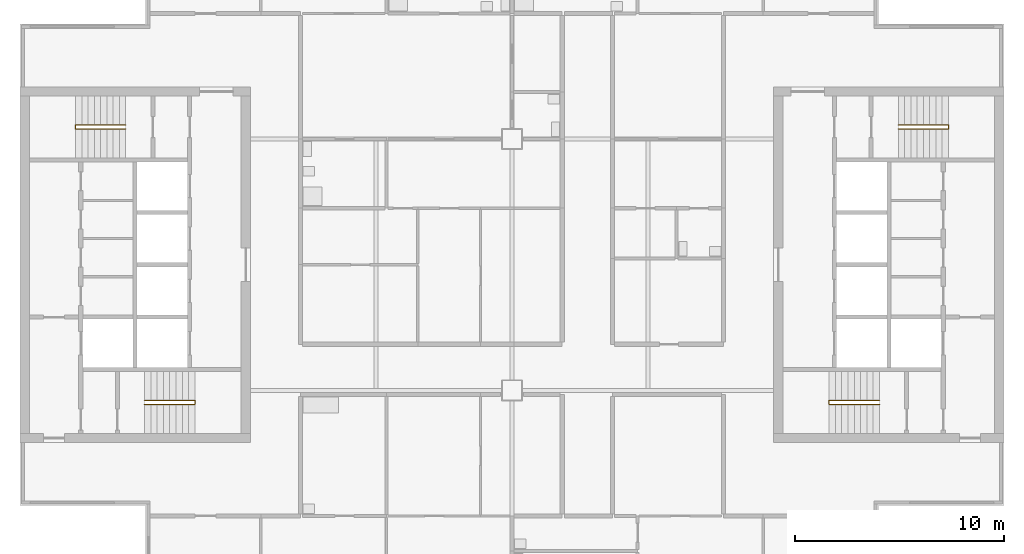
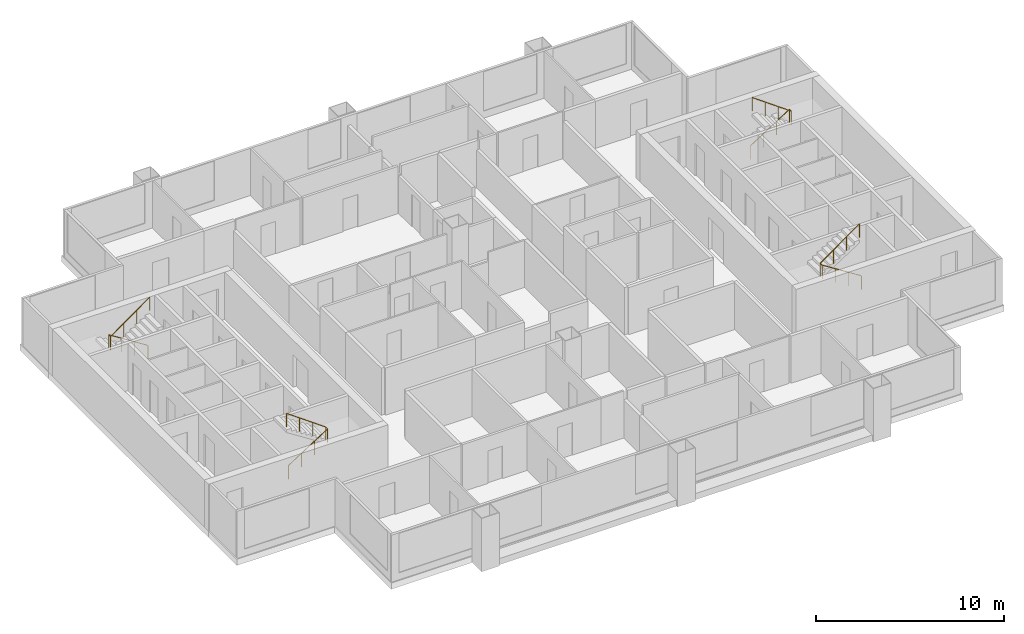
# One storey, part 8 of 9: 4 railings.
"""IFC4 building model written with IfcOpenShell, lengths in metres."""

from ifc_helpers import new_model, si_unit, direction, frame, origin, origin_2d, place, context, subcontext, project, spatial, circle, extrude, material, type_object, element, save


model = new_model("IFC4")

# Units and contexts
model_context = context("Model", 3, precision=1e-05, world=origin(), true_north=direction((0.0, 1.0)))
body_context = subcontext(model_context, "Body", "Model", "MODEL_VIEW")
ifc_project = project(units=[si_unit("LENGTHUNIT", "METRE"), si_unit("AREAUNIT", "SQUARE_METRE"), si_unit("VOLUMEUNIT", "CUBIC_METRE"), si_unit("PLANEANGLEUNIT", "RADIAN"), si_unit("MASSUNIT", "GRAM", prefix="KILO")], contexts=[model_context])

# Site, building, storey
site_placement = place(None, origin())
site = spatial("IfcSite", under=ifc_project, at=site_placement, CompositionType="ELEMENT")
building_placement = place(site_placement, origin())
building = spatial("IfcBuilding", under=site, at=building_placement, Name="Kitamizu Gate Tower and Museum", CompositionType="ELEMENT")
storey_placement = place(building_placement, frame((0.0, 0.0, 224.85009765625)))
storey = spatial("IfcBuildingStorey", under=building, at=storey_placement, Name="L60", CompositionType="ELEMENT", Elevation=224.85009765625)

# Railings
ifc_material = material(Name="Stainless steel SUS304", Category="steel")
railing_type = type_object("IfcRailingType", Name="Stair handrail 900", PredefinedType="HANDRAIL", material=ifc_material)
railing_1_placement = place(storey_placement, frame((18.449951171875, 23.324951171875, 0.191650390625)))
element("IfcRailing", 1, at=railing_1_placement, inside=storey, type_object=railing_type, Name="Stair handrail ST1", PredefinedType="HANDRAIL", context=body_context, shape_type="SweptSolid", body=[
    extrude(circle(Radius=0.02392578125, at=origin_2d()), frame((0.0, 0.0, 0.8759765625), z_axis=(0.842731908877, 0.0, 0.538333474494), x_axis=(0.0, 1.0, 0.0)), (0.0, 0.0, 1.0), 2.84814453125),
    extrude(circle(Radius=0.02392578125, at=origin_2d()), frame((2.400146484375, 0.0, 2.4091796875), z_axis=(0.0, 1.0, 0.0), x_axis=(-1.0, 0.0, 0.0)), (0.0, 0.0, 1.0), 0.199951171875),
    extrude(circle(Radius=0.02392578125, at=origin_2d()), frame((2.400146484375, 0.199951171875, 2.4091796875), z_axis=(-0.812016594614, 0.0, 0.583634346205), x_axis=(0.0, -1.0, 0.0)), (0.0, 0.0, 1.0), 2.955810546875),
    extrude(circle(Radius=0.02099609375, at=origin_2d()), origin(), (0.0, 0.0, 1.0), 0.851806640625),
    extrude(circle(Radius=0.02099609375, at=origin_2d()), frame((0.800048828125, 0.0, 0.510986328125)), (0.0, 0.0, 1.0), 0.851806640625),
    extrude(circle(Radius=0.02099609375, at=origin_2d()), frame((1.60009765625, 0.0, 1.022216796875)), (0.0, 0.0, 1.0), 0.851806640625),
    extrude(circle(Radius=0.02099609375, at=origin_2d()), frame((2.400146484375, 0.0, 1.533203125)), (0.0, 0.0, 1.0), 0.851806640625),
    extrude(circle(Radius=0.02099609375, at=origin_2d()), frame((2.400146484375, 0.199951171875, 1.533203125)), (0.0, 0.0, 1.0), 0.851806640625),
    extrude(circle(Radius=0.02099609375, at=origin_2d()), frame((1.60009765625, 0.199951171875, 2.108154296875)), (0.0, 0.0, 1.0), 0.851806640625),
    extrude(circle(Radius=0.02099609375, at=origin_2d()), frame((0.800048828125, 0.199951171875, 2.683349609375)), (0.0, 0.0, 1.0), 0.851806640625),
    extrude(circle(Radius=0.02099609375, at=origin_2d()), frame((0.0, 0.199951171875, 3.25830078125)), (0.0, 0.0, 1.0), 0.851806640625),
])
railing_2_placement = place(storey_placement, frame((17.550048828125, 36.675048828125, 0.191650390625)))
element("IfcRailing", 2, at=railing_2_placement, inside=storey, type_object=railing_type, Name="Stair handrail ST2", PredefinedType="HANDRAIL", context=body_context, shape_type="SweptSolid", body=[
    extrude(circle(Radius=0.02392578125, at=origin_2d()), frame((0.0, 0.0, 0.8759765625), z_axis=(-0.842731908877, 0.0, 0.538333474494), x_axis=(0.0, -1.0, 0.0)), (0.0, 0.0, 1.0), 2.84814453125),
    extrude(circle(Radius=0.02392578125, at=origin_2d()), frame((-2.400146484375, 0.0, 2.4091796875), z_axis=(0.0, -1.0, 0.0), x_axis=(1.0, 0.0, 0.0)), (0.0, 0.0, 1.0), 0.199951171875),
    extrude(circle(Radius=0.02392578125, at=origin_2d()), frame((-2.400146484375, -0.199951171875, 2.4091796875), z_axis=(0.812016594614, 0.0, 0.583634346205), x_axis=(0.0, 1.0, 0.0)), (0.0, 0.0, 1.0), 2.955810546875),
    extrude(circle(Radius=0.02099609375, at=origin_2d()), origin(), (0.0, 0.0, 1.0), 0.851806640625),
    extrude(circle(Radius=0.02099609375, at=origin_2d()), frame((-0.800048828125, 0.0, 0.510986328125)), (0.0, 0.0, 1.0), 0.851806640625),
    extrude(circle(Radius=0.02099609375, at=origin_2d()), frame((-1.60009765625, 0.0, 1.022216796875)), (0.0, 0.0, 1.0), 0.851806640625),
    extrude(circle(Radius=0.02099609375, at=origin_2d()), frame((-2.400146484375, 0.0, 1.533203125)), (0.0, 0.0, 1.0), 0.851806640625),
    extrude(circle(Radius=0.02099609375, at=origin_2d()), frame((-2.400146484375, -0.199951171875, 1.533203125)), (0.0, 0.0, 1.0), 0.851806640625),
    extrude(circle(Radius=0.02099609375, at=origin_2d()), frame((-1.60009765625, -0.199951171875, 2.108154296875)), (0.0, 0.0, 1.0), 0.851806640625),
    extrude(circle(Radius=0.02099609375, at=origin_2d()), frame((-0.800048828125, -0.199951171875, 2.683349609375)), (0.0, 0.0, 1.0), 0.851806640625),
    extrude(circle(Radius=0.02099609375, at=origin_2d()), frame((0.0, -0.199951171875, 3.25830078125)), (0.0, 0.0, 1.0), 0.851806640625),
])
railing_3_placement = place(storey_placement, frame((53.550048828125, 23.324951171875, 0.191650390625)))
element("IfcRailing", 3, at=railing_3_placement, inside=storey, type_object=railing_type, Name="Stair handrail ST3", PredefinedType="HANDRAIL", context=body_context, shape_type="SweptSolid", body=[
    extrude(circle(Radius=0.02392578125, at=origin_2d()), frame((0.0, 0.0, 0.8759765625), z_axis=(-0.842731908877, 0.0, 0.538333474494), x_axis=(0.0, -1.0, 0.0)), (0.0, 0.0, 1.0), 2.84814453125),
    extrude(circle(Radius=0.02392578125, at=origin_2d()), frame((-2.400146484375, 0.0, 2.4091796875), z_axis=(0.0, 1.0, 0.0), x_axis=(-1.0, 0.0, 0.0)), (0.0, 0.0, 1.0), 0.199951171875),
    extrude(circle(Radius=0.02392578125, at=origin_2d()), frame((-2.400146484375, 0.199951171875, 2.4091796875), z_axis=(0.812016594614, 0.0, 0.583634346205), x_axis=(0.0, 1.0, 0.0)), (0.0, 0.0, 1.0), 2.955810546875),
    extrude(circle(Radius=0.02099609375, at=origin_2d()), origin(), (0.0, 0.0, 1.0), 0.851806640625),
    extrude(circle(Radius=0.02099609375, at=origin_2d()), frame((-0.800048828125, 0.0, 0.510986328125)), (0.0, 0.0, 1.0), 0.851806640625),
    extrude(circle(Radius=0.02099609375, at=origin_2d()), frame((-1.60009765625, 0.0, 1.022216796875)), (0.0, 0.0, 1.0), 0.851806640625),
    extrude(circle(Radius=0.02099609375, at=origin_2d()), frame((-2.400146484375, 0.0, 1.533203125)), (0.0, 0.0, 1.0), 0.851806640625),
    extrude(circle(Radius=0.02099609375, at=origin_2d()), frame((-2.400146484375, 0.199951171875, 1.533203125)), (0.0, 0.0, 1.0), 0.851806640625),
    extrude(circle(Radius=0.02099609375, at=origin_2d()), frame((-1.60009765625, 0.199951171875, 2.108154296875)), (0.0, 0.0, 1.0), 0.851806640625),
    extrude(circle(Radius=0.02099609375, at=origin_2d()), frame((-0.800048828125, 0.199951171875, 2.683349609375)), (0.0, 0.0, 1.0), 0.851806640625),
    extrude(circle(Radius=0.02099609375, at=origin_2d()), frame((0.0, 0.199951171875, 3.25830078125)), (0.0, 0.0, 1.0), 0.851806640625),
])
railing_4_placement = place(storey_placement, frame((54.449951171875, 36.675048828125, 0.191650390625)))
element("IfcRailing", 4, at=railing_4_placement, inside=storey, type_object=railing_type, Name="Stair handrail ST4", PredefinedType="HANDRAIL", context=body_context, shape_type="SweptSolid", body=[
    extrude(circle(Radius=0.02392578125, at=origin_2d()), frame((0.0, 0.0, 0.8759765625), z_axis=(0.842731908877, 0.0, 0.538333474494), x_axis=(0.0, 1.0, 0.0)), (0.0, 0.0, 1.0), 2.84814453125),
    extrude(circle(Radius=0.02392578125, at=origin_2d()), frame((2.400146484375, 0.0, 2.4091796875), z_axis=(0.0, -1.0, 0.0), x_axis=(1.0, 0.0, 0.0)), (0.0, 0.0, 1.0), 0.199951171875),
    extrude(circle(Radius=0.02392578125, at=origin_2d()), frame((2.400146484375, -0.199951171875, 2.4091796875), z_axis=(-0.812016594614, 0.0, 0.583634346205), x_axis=(0.0, -1.0, 0.0)), (0.0, 0.0, 1.0), 2.955810546875),
    extrude(circle(Radius=0.02099609375, at=origin_2d()), origin(), (0.0, 0.0, 1.0), 0.851806640625),
    extrude(circle(Radius=0.02099609375, at=origin_2d()), frame((0.800048828125, 0.0, 0.510986328125)), (0.0, 0.0, 1.0), 0.851806640625),
    extrude(circle(Radius=0.02099609375, at=origin_2d()), frame((1.60009765625, 0.0, 1.022216796875)), (0.0, 0.0, 1.0), 0.851806640625),
    extrude(circle(Radius=0.02099609375, at=origin_2d()), frame((2.400146484375, 0.0, 1.533203125)), (0.0, 0.0, 1.0), 0.851806640625),
    extrude(circle(Radius=0.02099609375, at=origin_2d()), frame((2.400146484375, -0.199951171875, 1.533203125)), (0.0, 0.0, 1.0), 0.851806640625),
    extrude(circle(Radius=0.02099609375, at=origin_2d()), frame((1.60009765625, -0.199951171875, 2.108154296875)), (0.0, 0.0, 1.0), 0.851806640625),
    extrude(circle(Radius=0.02099609375, at=origin_2d()), frame((0.800048828125, -0.199951171875, 2.683349609375)), (0.0, 0.0, 1.0), 0.851806640625),
    extrude(circle(Radius=0.02099609375, at=origin_2d()), frame((0.0, -0.199951171875, 3.25830078125)), (0.0, 0.0, 1.0), 0.851806640625),
])

save(model, "model.ifc")
